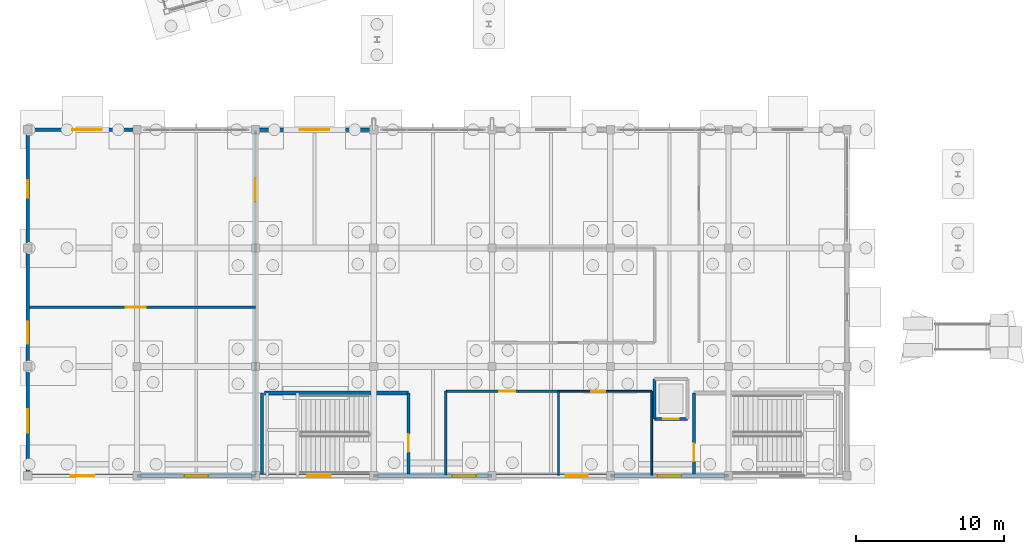
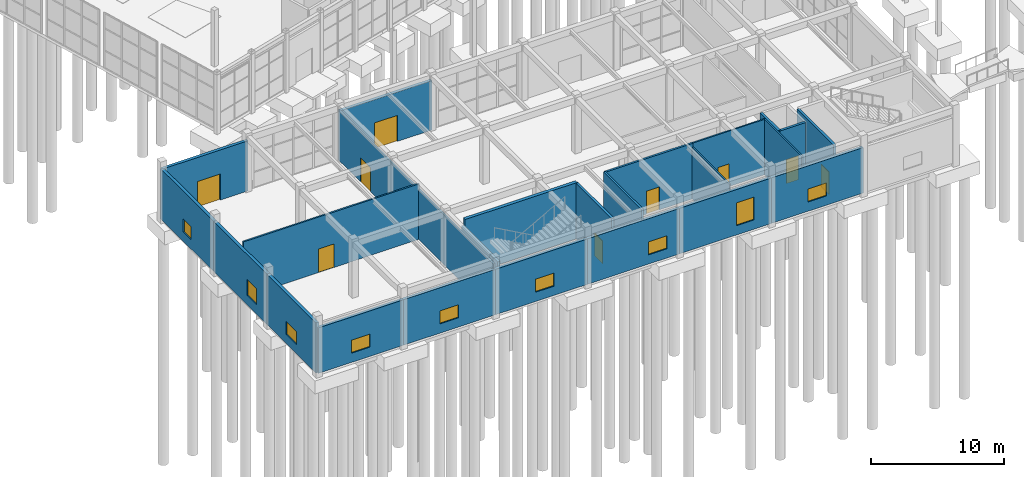
# One storey, part 71 of 90: 24 walls, 9 doors, 9 windows, 18 openings.
"""IFC4 building model written with IfcOpenShell, lengths in metres."""

from ifc_helpers import new_model, si_unit, direction, frame, frame_2d, origin, place, context, subcontext, project, spatial, rectangle, extrude, material, layer, layer_set, type_object, element, fill, save


model = new_model("IFC4")

# Units and contexts
model_context = context("Model", 3, precision=1e-05, world=origin(), true_north=direction((0.0, 1.0)))
body_context = subcontext(model_context, "Body", "Model", "MODEL_VIEW")
ifc_project = project(units=[si_unit("LENGTHUNIT", "METRE"), si_unit("AREAUNIT", "SQUARE_METRE"), si_unit("VOLUMEUNIT", "CUBIC_METRE"), si_unit("PLANEANGLEUNIT", "RADIAN"), si_unit("MASSUNIT", "GRAM", prefix="KILO")], contexts=[model_context])

# Site, building, storey
site_placement = place(None, origin())
site = spatial("IfcSite", under=ifc_project, at=site_placement, CompositionType="ELEMENT")
building_placement = place(site_placement, origin())
building = spatial("IfcBuilding", under=site, at=building_placement, Name="Canggui Botanical Conservatory", CompositionType="ELEMENT")
storey_placement = place(building_placement, origin())
storey = spatial("IfcBuildingStorey", under=building, at=storey_placement, Name="L01", CompositionType="ELEMENT", Elevation=0.0)

# Wall, opening, window
ifc_material_1 = material(Name="Precast Concrete C40", Category="concrete")
ifc_layer_1 = layer(ifc_material_1, 0.260009765625, Name="Precast Concrete C40", Category="concrete")
ifc_layer_set_1 = layer_set([ifc_layer_1], Name="Precast Concrete C40")
wall_type_1 = type_object("IfcWallType", Name="EW-260", PredefinedType="STANDARD", material=ifc_layer_set_1)
wall_1_placement = place(storey_placement, frame((58.0, 10.60009765625, 0.0), z_axis=(0.0, 0.0, 1.0), x_axis=(-1.0, 0.0, 0.0)))
wall_1 = element("IfcWall", 1, at=wall_1_placement, inside=storey, type_object=wall_type_1, Name="Visitor Centre Exterior Wall L01-2", PredefinedType="STANDARD", context=body_context, shape_type="SweptSolid", body=[
    extrude(rectangle(XDim=8.0, YDim=0.260009765625, at=frame_2d((4.0, 0.0))), origin(), (0.0, 0.0, 1.0), 4.179931640625),
])
opening_1_placement = place(wall_1_placement, frame((3.199951171875, 0.0, 0.85009765625)))
opening_1 = element("IfcOpeningElement", 2, at=opening_1_placement, cuts=wall_1, Name="Opening W-04", PredefinedType="OPENING", context=body_context, shape_type="SweptSolid", body=[
    extrude(rectangle(XDim=1.60009765625, YDim=1.199951171875, at=frame_2d((0.800048828125, 0.60009765625))), frame((0.0, 0.14013671875, 0.0), z_axis=(0.0, -1.0, 0.0), x_axis=(1.0, 0.0, 0.0)), (0.0, 0.0, 1.0), 0.280029296875),
])
ifc_material_2 = material(Name="Low-E Insulated Glass", Category="glass")
window_type_1 = type_object("IfcWindowType", Name="WIN-04", PartitioningType="SINGLE_PANEL", PredefinedType="WINDOW", material=ifc_material_2)
window_1_placement = place(opening_1_placement, origin())
window_1 = element("IfcWindow", 3, at=window_1_placement, inside=storey, type_object=window_type_1, Name="Visitor Centre Window L01-2", OverallHeight=1.199951171875, OverallWidth=1.60009765625, PartitioningType="SINGLE_PANEL", PredefinedType="WINDOW", context=body_context, shape_type="SweptSolid", body=[
    extrude(rectangle(XDim=1.60009765625, YDim=1.199951171875, at=frame_2d((0.800048828125, 0.60009765625))), frame((0.0, 0.030029296875, 0.0), z_axis=(0.0, -1.0, 0.0), x_axis=(1.0, 0.0, 0.0)), (0.0, 0.0, 1.0), 0.06005859375),
])
fill(opening_1, window_1)

wall_2_placement = place(storey_placement, frame((50.0, 10.60009765625, 0.0), z_axis=(0.0, 0.0, 1.0), x_axis=(-1.0, 0.0, 0.0)))
wall_2 = element("IfcWall", 4, at=wall_2_placement, inside=storey, type_object=wall_type_1, Name="Visitor Centre Exterior Wall L01-3", PredefinedType="STANDARD", context=body_context, shape_type="SweptSolid", body=[
    extrude(rectangle(XDim=8.0, YDim=0.260009765625, at=frame_2d((4.0, 0.0))), origin(), (0.0, 0.0, 1.0), 4.179931640625),
])
opening_2_placement = place(wall_2_placement, frame((1.51708984375, 0.0, 0.85009765625)))
opening_2 = element("IfcOpeningElement", 5, at=opening_2_placement, cuts=wall_2, Name="Opening W-13", PredefinedType="OPENING", context=body_context, shape_type="SweptSolid", body=[
    extrude(rectangle(XDim=1.5, YDim=2.10009765625, at=frame_2d((0.75, 1.050048828125))), frame((0.0, 0.14013671875, 0.0), z_axis=(0.0, -1.0, 0.0), x_axis=(1.0, 0.0, 0.0)), (0.0, 0.0, 1.0), 0.280029296875),
])
window_type_2 = type_object("IfcWindowType", Name="WIN-13", PartitioningType="DOUBLE_PANEL_HORIZONTAL", PredefinedType="WINDOW", material=ifc_material_2)
window_2_placement = place(opening_2_placement, origin())
window_2 = element("IfcWindow", 6, at=window_2_placement, inside=storey, type_object=window_type_2, Name="Visitor Centre Window L01-3", OverallHeight=2.10009765625, OverallWidth=1.5, PartitioningType="SINGLE_PANEL", PredefinedType="WINDOW", context=body_context, shape_type="SweptSolid", body=[
    extrude(rectangle(XDim=1.5, YDim=2.10009765625, at=frame_2d((0.75, 1.050048828125))), frame((0.0, 0.030029296875, 0.0), z_axis=(0.0, -1.0, 0.0), x_axis=(1.0, 0.0, 0.0)), (0.0, 0.0, 1.0), 0.06005859375),
])
fill(opening_2, window_2)

wall_3_placement = place(storey_placement, frame((42.0, 10.60009765625, 0.0), z_axis=(0.0, 0.0, 1.0), x_axis=(-1.0, 0.0, 0.0)))
wall_3 = element("IfcWall", 7, at=wall_3_placement, inside=storey, type_object=wall_type_1, Name="Visitor Centre Exterior Wall L01-4", PredefinedType="STANDARD", context=body_context, shape_type="SweptSolid", body=[
    extrude(rectangle(XDim=8.0, YDim=0.260009765625, at=frame_2d((4.0, 0.0))), origin(), (0.0, 0.0, 1.0), 4.179931640625),
])
opening_3_placement = place(wall_3_placement, frame((1.074951171875, 0.0, 0.85009765625)))
opening_3 = element("IfcOpeningElement", 8, at=opening_3_placement, cuts=wall_3, Name="Opening W-04", PredefinedType="OPENING", context=body_context, shape_type="SweptSolid", body=[
    extrude(rectangle(XDim=1.60009765625, YDim=1.199951171875, at=frame_2d((0.800048828125, 0.60009765625))), frame((0.0, 0.14013671875, 0.0), z_axis=(0.0, -1.0, 0.0), x_axis=(1.0, 0.0, 0.0)), (0.0, 0.0, 1.0), 0.280029296875),
])
window_3_placement = place(opening_3_placement, origin())
window_3 = element("IfcWindow", 9, at=window_3_placement, inside=storey, type_object=window_type_1, Name="Visitor Centre Window L01-4", OverallHeight=1.199951171875, OverallWidth=1.60009765625, PartitioningType="SINGLE_PANEL", PredefinedType="WINDOW", context=body_context, shape_type="SweptSolid", body=[
    extrude(rectangle(XDim=1.60009765625, YDim=1.199951171875, at=frame_2d((0.800048828125, 0.60009765625))), frame((0.0, 0.030029296875, 0.0), z_axis=(0.0, -1.0, 0.0), x_axis=(1.0, 0.0, 0.0)), (0.0, 0.0, 1.0), 0.06005859375),
])
fill(opening_3, window_3)

wall_4_placement = place(storey_placement, frame((34.0, 10.60009765625, 0.0), z_axis=(0.0, 0.0, 1.0), x_axis=(-1.0, 0.0, 0.0)))
wall_4 = element("IfcWall", 10, at=wall_4_placement, inside=storey, type_object=wall_type_1, Name="Visitor Centre Exterior Wall L01-5", PredefinedType="STANDARD", context=body_context, shape_type="SweptSolid", body=[
    extrude(rectangle(XDim=8.0, YDim=0.260009765625, at=frame_2d((4.0, 0.0))), origin(), (0.0, 0.0, 1.0), 4.179931640625),
])
opening_4_placement = place(wall_4_placement, frame((2.89990234375, 0.0, 0.85009765625)))
opening_4 = element("IfcOpeningElement", 11, at=opening_4_placement, cuts=wall_4, Name="Opening W-04", PredefinedType="OPENING", context=body_context, shape_type="SweptSolid", body=[
    extrude(rectangle(XDim=1.60009765625, YDim=1.199951171875, at=frame_2d((0.800048828125, 0.60009765625))), frame((0.0, 0.14013671875, 0.0), z_axis=(0.0, -1.0, 0.0), x_axis=(1.0, 0.0, 0.0)), (0.0, 0.0, 1.0), 0.280029296875),
])
window_4_placement = place(opening_4_placement, origin())
window_4 = element("IfcWindow", 12, at=window_4_placement, inside=storey, type_object=window_type_1, Name="Visitor Centre Window L01-5", OverallHeight=1.199951171875, OverallWidth=1.60009765625, PartitioningType="SINGLE_PANEL", PredefinedType="WINDOW", context=body_context, shape_type="SweptSolid", body=[
    extrude(rectangle(XDim=1.60009765625, YDim=1.199951171875, at=frame_2d((0.800048828125, 0.60009765625))), frame((0.0, 0.030029296875, 0.0), z_axis=(0.0, -1.0, 0.0), x_axis=(1.0, 0.0, 0.0)), (0.0, 0.0, 1.0), 0.06005859375),
])
fill(opening_4, window_4)

wall_5_placement = place(storey_placement, frame((26.0, 10.60009765625, 0.0), z_axis=(0.0, 0.0, 1.0), x_axis=(-1.0, 0.0, 0.0)))
wall_5 = element("IfcWall", 13, at=wall_5_placement, inside=storey, type_object=wall_type_1, Name="Visitor Centre Exterior Wall L01-6", PredefinedType="STANDARD", context=body_context, shape_type="SweptSolid", body=[
    extrude(rectangle(XDim=8.0, YDim=0.260009765625, at=frame_2d((4.0, 0.0))), origin(), (0.0, 0.0, 1.0), 4.179931640625),
])
opening_5_placement = place(wall_5_placement, frame((3.199951171875, 0.0, 0.85009765625)))
opening_5 = element("IfcOpeningElement", 14, at=opening_5_placement, cuts=wall_5, Name="Opening W-04", PredefinedType="OPENING", context=body_context, shape_type="SweptSolid", body=[
    extrude(rectangle(XDim=1.60009765625, YDim=1.199951171875, at=frame_2d((0.800048828125, 0.60009765625))), frame((0.0, 0.14013671875, 0.0), z_axis=(0.0, -1.0, 0.0), x_axis=(1.0, 0.0, 0.0)), (0.0, 0.0, 1.0), 0.280029296875),
])
window_5_placement = place(opening_5_placement, origin())
window_5 = element("IfcWindow", 15, at=window_5_placement, inside=storey, type_object=window_type_1, Name="Visitor Centre Window L01-6", OverallHeight=1.199951171875, OverallWidth=1.60009765625, PartitioningType="SINGLE_PANEL", PredefinedType="WINDOW", context=body_context, shape_type="SweptSolid", body=[
    extrude(rectangle(XDim=1.60009765625, YDim=1.199951171875, at=frame_2d((0.800048828125, 0.60009765625))), frame((0.0, 0.030029296875, 0.0), z_axis=(0.0, -1.0, 0.0), x_axis=(1.0, 0.0, 0.0)), (0.0, 0.0, 1.0), 0.06005859375),
])
fill(opening_5, window_5)

wall_6_placement = place(storey_placement, frame((18.0, 10.60009765625, 0.0), z_axis=(0.0, 0.0, 1.0), x_axis=(-1.0, 0.0, 0.0)))
wall_6 = element("IfcWall", 16, at=wall_6_placement, inside=storey, type_object=wall_type_1, Name="Visitor Centre Exterior Wall L01-7", PredefinedType="STANDARD", context=body_context, shape_type="SweptSolid", body=[
    extrude(rectangle(XDim=7.39990234375, YDim=0.260009765625, at=frame_2d((3.699951171875, 0.0))), origin(), (0.0, 0.0, 1.0), 4.179931640625),
])
opening_6_placement = place(wall_6_placement, frame((2.89990234375, 0.0, 0.85009765625)))
opening_6 = element("IfcOpeningElement", 17, at=opening_6_placement, cuts=wall_6, Name="Opening W-04", PredefinedType="OPENING", context=body_context, shape_type="SweptSolid", body=[
    extrude(rectangle(XDim=1.60009765625, YDim=1.199951171875, at=frame_2d((0.800048828125, 0.60009765625))), frame((0.0, 0.14013671875, 0.0), z_axis=(0.0, -1.0, 0.0), x_axis=(1.0, 0.0, 0.0)), (0.0, 0.0, 1.0), 0.280029296875),
])
window_6_placement = place(opening_6_placement, origin())
window_6 = element("IfcWindow", 18, at=window_6_placement, inside=storey, type_object=window_type_1, Name="Visitor Centre Window L01-7", OverallHeight=1.199951171875, OverallWidth=1.60009765625, PartitioningType="SINGLE_PANEL", PredefinedType="WINDOW", context=body_context, shape_type="SweptSolid", body=[
    extrude(rectangle(XDim=1.60009765625, YDim=1.199951171875, at=frame_2d((0.800048828125, 0.60009765625))), frame((0.0, 0.030029296875, 0.0), z_axis=(0.0, -1.0, 0.0), x_axis=(1.0, 0.0, 0.0)), (0.0, 0.0, 1.0), 0.06005859375),
])
fill(opening_6, window_6)

wall_7_placement = place(storey_placement, frame((10.60009765625, 10.60009765625, 0.0), z_axis=(0.0, 0.0, 1.0), x_axis=(0.0, 1.0, 0.0)))
wall_7 = element("IfcWall", 19, at=wall_7_placement, inside=storey, type_object=wall_type_1, Name="Visitor Centre Exterior Wall L01-8", PredefinedType="STANDARD", context=body_context, shape_type="SweptSolid", body=[
    extrude(rectangle(XDim=7.39990234375, YDim=0.260009765625, at=frame_2d((3.699951171875, 0.0))), origin(), (0.0, 0.0, 1.0), 4.610107421875),
])
opening_7_placement = place(wall_7_placement, frame((2.89990234375, 0.0, 0.85009765625)))
opening_7 = element("IfcOpeningElement", 20, at=opening_7_placement, cuts=wall_7, Name="Opening W-04", PredefinedType="OPENING", context=body_context, shape_type="SweptSolid", body=[
    extrude(rectangle(XDim=1.60009765625, YDim=1.199951171875, at=frame_2d((0.800048828125, 0.60009765625))), frame((0.0, 0.14013671875, 0.0), z_axis=(0.0, -1.0, 0.0), x_axis=(1.0, 0.0, 0.0)), (0.0, 0.0, 1.0), 0.280029296875),
])
window_7_placement = place(opening_7_placement, origin())
window_7 = element("IfcWindow", 21, at=window_7_placement, inside=storey, type_object=window_type_1, Name="Visitor Centre Window L01-8", OverallHeight=1.199951171875, OverallWidth=1.60009765625, PartitioningType="SINGLE_PANEL", PredefinedType="WINDOW", context=body_context, shape_type="SweptSolid", body=[
    extrude(rectangle(XDim=1.60009765625, YDim=1.199951171875, at=frame_2d((0.800048828125, 0.60009765625))), frame((0.0, 0.030029296875, 0.0), z_axis=(0.0, -1.0, 0.0), x_axis=(1.0, 0.0, 0.0)), (0.0, 0.0, 1.0), 0.06005859375),
])
fill(opening_7, window_7)

wall_8_placement = place(storey_placement, frame((10.60009765625, 18.0, 0.0), z_axis=(0.0, 0.0, 1.0), x_axis=(0.0, 1.0, 0.0)))
wall_8 = element("IfcWall", 22, at=wall_8_placement, inside=storey, type_object=wall_type_1, Name="Visitor Centre Exterior Wall L01-9", PredefinedType="STANDARD", context=body_context, shape_type="SweptSolid", body=[
    extrude(rectangle(XDim=8.0, YDim=0.260009765625, at=frame_2d((4.0, 0.0))), origin(), (0.0, 0.0, 1.0), 4.610107421875),
])
opening_8_placement = place(wall_8_placement, frame((1.51708984375, 0.0, 0.85009765625)))
opening_8 = element("IfcOpeningElement", 23, at=opening_8_placement, cuts=wall_8, Name="Opening W-05", PredefinedType="OPENING", context=body_context, shape_type="SweptSolid", body=[
    extrude(rectangle(XDim=1.5, YDim=1.5, at=frame_2d((0.75, 0.75))), frame((0.0, 0.14013671875, 0.0), z_axis=(0.0, -1.0, 0.0), x_axis=(1.0, 0.0, 0.0)), (0.0, 0.0, 1.0), 0.280029296875),
])
window_type_3 = type_object("IfcWindowType", Name="WIN-05", PartitioningType="SINGLE_PANEL", PredefinedType="WINDOW", material=ifc_material_2)
window_8_placement = place(opening_8_placement, origin())
window_8 = element("IfcWindow", 24, at=window_8_placement, inside=storey, type_object=window_type_3, Name="Visitor Centre Window L01-9", OverallHeight=1.5, OverallWidth=1.5, PartitioningType="SINGLE_PANEL", PredefinedType="WINDOW", context=body_context, shape_type="SweptSolid", body=[
    extrude(rectangle(XDim=1.5, YDim=1.5, at=frame_2d((0.75, 0.75))), frame((0.0, 0.030029296875, 0.0), z_axis=(0.0, -1.0, 0.0), x_axis=(1.0, 0.0, 0.0)), (0.0, 0.0, 1.0), 0.06005859375),
])
fill(opening_8, window_8)

wall_9_placement = place(storey_placement, frame((10.60009765625, 26.0, 0.0), z_axis=(0.0, 0.0, 1.0), x_axis=(0.0, 1.0, 0.0)))
wall_9 = element("IfcWall", 25, at=wall_9_placement, inside=storey, type_object=wall_type_1, Name="Visitor Centre Exterior Wall L01-10", PredefinedType="STANDARD", context=body_context, shape_type="SweptSolid", body=[
    extrude(rectangle(XDim=8.0, YDim=0.260009765625, at=frame_2d((4.0, 0.0))), origin(), (0.0, 0.0, 1.0), 4.610107421875),
])
opening_9_placement = place(wall_9_placement, frame((3.39990234375, 0.0, 0.85009765625)))
opening_9 = element("IfcOpeningElement", 26, at=opening_9_placement, cuts=wall_9, Name="Opening W-06", PredefinedType="OPENING", context=body_context, shape_type="SweptSolid", body=[
    extrude(rectangle(XDim=1.199951171875, YDim=1.199951171875, at=frame_2d((0.60009765625, 0.60009765625))), frame((0.0, 0.14013671875, 0.0), z_axis=(0.0, -1.0, 0.0), x_axis=(1.0, 0.0, 0.0)), (0.0, 0.0, 1.0), 0.280029296875),
])
window_type_4 = type_object("IfcWindowType", Name="WIN-06", PartitioningType="SINGLE_PANEL", PredefinedType="WINDOW", material=ifc_material_2)
window_9_placement = place(opening_9_placement, origin())
window_9 = element("IfcWindow", 27, at=window_9_placement, inside=storey, type_object=window_type_4, Name="Visitor Centre Window L01-10", OverallHeight=1.199951171875, OverallWidth=1.199951171875, PartitioningType="SINGLE_PANEL", PredefinedType="WINDOW", context=body_context, shape_type="SweptSolid", body=[
    extrude(rectangle(XDim=1.199951171875, YDim=1.199951171875, at=frame_2d((0.60009765625, 0.60009765625))), frame((0.0, 0.030029296875, 0.0), z_axis=(0.0, -1.0, 0.0), x_axis=(1.0, 0.0, 0.0)), (0.0, 0.0, 1.0), 0.06005859375),
])
fill(opening_9, window_9)

# Wall, opening, door
wall_10_placement = place(storey_placement, frame((10.60009765625, 34.0, 0.0), z_axis=(0.0, 0.0, 1.0), x_axis=(1.0, 0.0, 0.0)))
wall_10 = element("IfcWall", 28, at=wall_10_placement, inside=storey, type_object=wall_type_1, Name="Visitor Centre Exterior Wall L01-11", PredefinedType="STANDARD", context=body_context, shape_type="SweptSolid", body=[
    extrude(rectangle(XDim=7.39990234375, YDim=0.260009765625, at=frame_2d((3.699951171875, 0.0))), origin(), (0.0, 0.0, 1.0), 4.610107421875),
])
opening_10_placement = place(wall_10_placement, frame((3.0, 0.0, 0.0)))
opening_10 = element("IfcOpeningElement", 29, at=opening_10_placement, cuts=wall_10, Name="Opening EX-A", PredefinedType="OPENING", context=body_context, shape_type="SweptSolid", body=[
    extrude(rectangle(XDim=2.0, YDim=2.39990234375, at=frame_2d((1.0, 1.199951171875))), frame((0.0, 0.14013671875, 0.0), z_axis=(0.0, -1.0, 0.0), x_axis=(1.0, 0.0, 0.0)), (0.0, 0.0, 1.0), 0.280029296875),
])
ifc_material_3 = material(Name="Anodised Aluminium", Category="aluminium")
door_type_1 = type_object("IfcDoorType", Name="EDR-EX20", OperationType="NOTDEFINED", PredefinedType="DOOR", material=ifc_material_3)
door_1_placement = place(opening_10_placement, origin())
door_1 = element("IfcDoor", 30, at=door_1_placement, inside=storey, type_object=door_type_1, Name="Visitor Centre Main Exit Door EX-09", OperationType="DOUBLE_DOOR_SINGLE_SWING", OverallHeight=2.39990234375, OverallWidth=2.0, PredefinedType="DOOR", context=body_context, shape_type="SweptSolid", body=[
    extrude(rectangle(XDim=2.0, YDim=2.39990234375, at=frame_2d((1.0, 1.199951171875))), frame((0.0, 0.02490234375, 0.0), z_axis=(0.0, -1.0, 0.0), x_axis=(1.0, 0.0, 0.0)), (0.0, 0.0, 1.0), 0.050048828125),
])
fill(opening_10, door_1)

wall_11_placement = place(storey_placement, frame((26.0, 34.0, 0.0), z_axis=(0.0, 0.0, 1.0), x_axis=(1.0, 0.0, 0.0)))
wall_11 = element("IfcWall", 31, at=wall_11_placement, inside=storey, type_object=wall_type_1, Name="Visitor Centre Exterior Wall L01-13", PredefinedType="STANDARD", context=body_context, shape_type="SweptSolid", body=[
    extrude(rectangle(XDim=8.0, YDim=0.260009765625, at=frame_2d((4.0, 0.0))), origin(), (0.0, 0.0, 1.0), 4.5400390625),
])
opening_11_placement = place(wall_11_placement, frame((3.0, 0.0, 0.0)))
opening_11 = element("IfcOpeningElement", 32, at=opening_11_placement, cuts=wall_11, Name="Opening EX-A", PredefinedType="OPENING", context=body_context, shape_type="SweptSolid", body=[
    extrude(rectangle(XDim=2.0, YDim=2.39990234375, at=frame_2d((1.0, 1.199951171875))), frame((0.0, 0.14013671875, 0.0), z_axis=(0.0, -1.0, 0.0), x_axis=(1.0, 0.0, 0.0)), (0.0, 0.0, 1.0), 0.280029296875),
])
door_2_placement = place(opening_11_placement, origin())
door_2 = element("IfcDoor", 33, at=door_2_placement, inside=storey, type_object=door_type_1, Name="Visitor Centre Main Exit Door EX-10", OperationType="DOUBLE_DOOR_SINGLE_SWING", OverallHeight=2.39990234375, OverallWidth=2.0, PredefinedType="DOOR", context=body_context, shape_type="SweptSolid", body=[
    extrude(rectangle(XDim=2.0, YDim=2.39990234375, at=frame_2d((1.0, 1.199951171875))), frame((0.0, 0.02490234375, 0.0), z_axis=(0.0, -1.0, 0.0), x_axis=(1.0, 0.0, 0.0)), (0.0, 0.0, 1.0), 0.050048828125),
])
fill(opening_11, door_2)

# Wall
ifc_material_4 = material(Name="Gypsum Plasterboard Partition")
ifc_layer_2 = layer(ifc_material_4, 0.175048828125, Name="Gypsum Plasterboard Partition")
ifc_layer_set_2 = layer_set([ifc_layer_2], Name="Gypsum Plasterboard Partition")
wall_type_2 = type_object("IfcWallType", Name="IW-CORR-175", PredefinedType="STANDARD", material=ifc_layer_set_2)
wall_12_placement = place(storey_placement, frame((38.8798828125, 10.64990234375, 0.0), z_axis=(0.0, 0.0, 1.0), x_axis=(0.0, 1.0, 0.0)))
element("IfcWall", 34, at=wall_12_placement, inside=storey, type_object=wall_type_2, Name="Visitor South Seminar West Wall L01", PredefinedType="STANDARD", context=body_context, shape_type="SweptSolid", body=[
    extrude(rectangle(XDim=5.670166015625, YDim=0.175048828125, at=frame_2d((2.8349609375, 0.0))), origin(), (0.0, 0.0, 1.0), 5.10009765625),
])

# Wall, opening, door
wall_13_placement = place(storey_placement, frame((38.8798828125, 16.320068359375, 0.0), z_axis=(0.0, 0.0, 1.0), x_axis=(1.0, 0.0, 0.0)))
wall_13 = element("IfcWall", 35, at=wall_13_placement, inside=storey, type_object=wall_type_2, Name="Visitor South Seminar Wall L01", PredefinedType="STANDARD", context=body_context, shape_type="SweptSolid", body=[
    extrude(rectangle(XDim=7.6201171875, YDim=0.175048828125, at=frame_2d((3.81005859375, 0.0))), origin(), (0.0, 0.0, 1.0), 5.10009765625),
])
opening_12_placement = place(wall_13_placement, frame((3.60009765625, 0.0, 0.0)))
opening_12 = element("IfcOpeningElement", 36, at=opening_12_placement, cuts=wall_13, Name="Opening FD-05", PredefinedType="OPENING", context=body_context, shape_type="SweptSolid", body=[
    extrude(rectangle(XDim=1.10009765625, YDim=2.10009765625, at=frame_2d((0.550048828125, 1.050048828125))), frame((0.0, 0.09765625, 0.0), z_axis=(0.0, -1.0, 0.0), x_axis=(1.0, 0.0, 0.0)), (0.0, 0.0, 1.0), 0.195068359375),
])
ifc_material_5 = material(Name="Powder-Coated Steel", Category="steel")
door_type_2 = type_object("IfcDoorType", Name="FD-05", OperationType="NOTDEFINED", PredefinedType="DOOR", material=ifc_material_5)
door_3_placement = place(opening_12_placement, origin())
door_3 = element("IfcDoor", 37, at=door_3_placement, inside=storey, type_object=door_type_2, Name="Interior Door IW-VIS-L01-S1", OperationType="SINGLE_SWING_LEFT", OverallHeight=2.10009765625, OverallWidth=1.10009765625, PredefinedType="DOOR", context=body_context, shape_type="SweptSolid", body=[
    extrude(rectangle(XDim=1.10009765625, YDim=2.10009765625, at=frame_2d((0.550048828125, 1.050048828125))), frame((0.0, 0.02490234375, 0.0), z_axis=(0.0, -1.0, 0.0), x_axis=(1.0, 0.0, 0.0)), (0.0, 0.0, 1.0), 0.050048828125),
])
fill(opening_12, door_3)

ifc_layer_3 = layer(ifc_material_4, 0.139892578125, Name="Gypsum Plasterboard Partition")
ifc_layer_set_3 = layer_set([ifc_layer_3], Name="Gypsum Plasterboard Partition")
wall_type_3 = type_object("IfcWallType", Name="IW-PART-140", PredefinedType="STANDARD", material=ifc_layer_set_3)
wall_14_placement = place(storey_placement, frame((26.0, 10.64990234375, 0.0), z_axis=(0.0, 0.0, 1.0), x_axis=(0.0, 1.0, 0.0)))
wall_14 = element("IfcWall", 38, at=wall_14_placement, inside=storey, type_object=wall_type_3, Name="Visitor Reception Gallery Partition", PredefinedType="STANDARD", context=body_context, shape_type="SweptSolid", body=[
    extrude(rectangle(XDim=23.300048828125, YDim=0.139892578125, at=frame_2d((11.64990234375, 0.0))), origin(), (0.0, 0.0, 1.0), 4.590087890625),
])
opening_13_placement = place(wall_14_placement, frame((18.5, 0.0, 0.0)))
opening_13 = element("IfcOpeningElement", 39, at=opening_13_placement, cuts=wall_14, Name="Opening ID-14", PredefinedType="OPENING", context=body_context, shape_type="SweptSolid", body=[
    extrude(rectangle(XDim=1.5400390625, YDim=2.219970703125, at=frame_2d((0.77001953125, 1.10986328125))), frame((0.0, 0.080078125, 0.0), z_axis=(0.0, -1.0, 0.0), x_axis=(1.0, 0.0, 0.0)), (0.0, 0.0, 1.0), 0.159912109375),
])
ifc_material_6 = material(Name="Engineered Timber Veneer", Category="wood")
door_type_3 = type_object("IfcDoorType", Name="ID-14", OperationType="NOTDEFINED", PredefinedType="DOOR", material=ifc_material_6)
door_4_placement = place(opening_13_placement, origin())
door_4 = element("IfcDoor", 40, at=door_4_placement, inside=storey, type_object=door_type_3, Name="Interior Door IW-VIS-L01-1", OperationType="SINGLE_SWING_LEFT", OverallHeight=2.219970703125, OverallWidth=1.5400390625, PredefinedType="DOOR", context=body_context, shape_type="SweptSolid", body=[
    extrude(rectangle(XDim=1.5400390625, YDim=2.219970703125, at=frame_2d((0.77001953125, 1.10986328125))), frame((0.0, 0.02490234375, 0.0), z_axis=(0.0, -1.0, 0.0), x_axis=(1.0, 0.0, 0.0)), (0.0, 0.0, 1.0), 0.050048828125),
])
fill(opening_13, door_4)

wall_15_placement = place(storey_placement, frame((10.719970703125, 22.0, 0.0), z_axis=(0.0, 0.0, 1.0), x_axis=(1.0, 0.0, 0.0)))
wall_15 = element("IfcWall", 41, at=wall_15_placement, inside=storey, type_object=wall_type_3, Name="Visitor West Gallery Cross Wall", PredefinedType="STANDARD", context=body_context, shape_type="SweptSolid", body=[
    extrude(rectangle(XDim=15.280029296875, YDim=0.139892578125, at=frame_2d((7.64013671875, 0.0))), origin(), (0.0, 0.0, 1.0), 5.10009765625),
])
opening_14_placement = place(wall_15_placement, frame((6.5, 0.0, 0.0)))
opening_14 = element("IfcOpeningElement", 42, at=opening_14_placement, cuts=wall_15, Name="Opening ID-11", PredefinedType="OPENING", context=body_context, shape_type="SweptSolid", body=[
    extrude(rectangle(XDim=1.3798828125, YDim=2.159912109375, at=frame_2d((0.68994140625, 1.080078125))), frame((0.0, 0.080078125, 0.0), z_axis=(0.0, -1.0, 0.0), x_axis=(1.0, 0.0, 0.0)), (0.0, 0.0, 1.0), 0.159912109375),
])
door_type_4 = type_object("IfcDoorType", Name="ID-11", OperationType="NOTDEFINED", PredefinedType="DOOR", material=ifc_material_6)
door_5_placement = place(opening_14_placement, origin())
door_5 = element("IfcDoor", 43, at=door_5_placement, inside=storey, type_object=door_type_4, Name="Interior Door IW-VIS-L01-2", OperationType="SINGLE_SWING_RIGHT", OverallHeight=2.159912109375, OverallWidth=1.3798828125, PredefinedType="DOOR", context=body_context, shape_type="SweptSolid", body=[
    extrude(rectangle(XDim=1.3798828125, YDim=2.159912109375, at=frame_2d((0.68994140625, 1.080078125))), frame((0.0, 0.02490234375, 0.0), z_axis=(0.0, -1.0, 0.0), x_axis=(1.0, 0.0, 0.0)), (0.0, 0.0, 1.0), 0.050048828125),
])
fill(opening_14, door_5)

ifc_material_7 = material(Name="Concrete C35", Category="concrete")
ifc_layer_4 = layer(ifc_material_7, 0.215087890625, Name="Concrete C35", Category="concrete")
ifc_layer_set_4 = layer_set([ifc_layer_4], Name="Concrete C35")
wall_type_4 = type_object("IfcWallType", Name="IW-SHAFT-215", PredefinedType="STANDARD", material=ifc_layer_set_4)
wall_16_placement = place(storey_placement, frame((55.64990234375, 10.719970703125, 0.0), z_axis=(0.0, 0.0, 1.0), x_axis=(0.0, 1.0, 0.0)))
wall_16 = element("IfcWall", 44, at=wall_16_placement, inside=storey, type_object=wall_type_4, Name="ST-V1 Shaft West Wall L01", PredefinedType="STANDARD", context=body_context, shape_type="SweptSolid", body=[
    extrude(rectangle(XDim=5.47998046875, YDim=0.215087890625, at=frame_2d((2.739990234375, 0.0))), origin(), (0.0, 0.0, 1.0), 5.10009765625),
])
opening_15_placement = place(wall_16_placement, frame((0.85009765625, 0.0, 0.0)))
opening_15 = element("IfcOpeningElement", 45, at=opening_15_placement, cuts=wall_16, Name="Opening FD-07", PredefinedType="OPENING", context=body_context, shape_type="SweptSolid", body=[
    extrude(rectangle(XDim=1.199951171875, YDim=2.10009765625, at=frame_2d((0.60009765625, 1.050048828125))), frame((0.0, 0.11767578125, 0.0), z_axis=(0.0, -1.0, 0.0), x_axis=(1.0, 0.0, 0.0)), (0.0, 0.0, 1.0), 0.235107421875),
])
door_type_5 = type_object("IfcDoorType", Name="FD-07", OperationType="NOTDEFINED", PredefinedType="DOOR", material=ifc_material_5)
door_6_placement = place(opening_15_placement, origin())
door_6 = element("IfcDoor", 46, at=door_6_placement, inside=storey, type_object=door_type_5, Name="Visitor Stair ST-V1 Door L01", OperationType="SINGLE_SWING_LEFT", OverallHeight=2.10009765625, OverallWidth=1.199951171875, PredefinedType="DOOR", context=body_context, shape_type="SweptSolid", body=[
    extrude(rectangle(XDim=1.199951171875, YDim=2.10009765625, at=frame_2d((0.60009765625, 1.050048828125))), frame((0.0, 0.02490234375, 0.0), z_axis=(0.0, -1.0, 0.0), x_axis=(1.0, 0.0, 0.0)), (0.0, 0.0, 1.0), 0.050048828125),
])
fill(opening_15, door_6)

wall_17_placement = place(storey_placement, frame((36.35009765625, 10.719970703125, 0.0), z_axis=(0.0, 0.0, 1.0), x_axis=(0.0, 1.0, 0.0)))
wall_17 = element("IfcWall", 47, at=wall_17_placement, inside=storey, type_object=wall_type_4, Name="ST-V2 Shaft East Wall L01", PredefinedType="STANDARD", context=body_context, shape_type="SweptSolid", body=[
    extrude(rectangle(XDim=5.47998046875, YDim=0.215087890625, at=frame_2d((2.739990234375, 0.0))), origin(), (0.0, 0.0, 1.0), 5.10009765625),
])
opening_16_placement = place(wall_17_placement, frame((1.5, 0.0, 0.0)))
opening_16 = element("IfcOpeningElement", 48, at=opening_16_placement, cuts=wall_17, Name="Opening FD-07", PredefinedType="OPENING", context=body_context, shape_type="SweptSolid", body=[
    extrude(rectangle(XDim=1.199951171875, YDim=2.10009765625, at=frame_2d((0.60009765625, 1.050048828125))), frame((0.0, 0.11767578125, 0.0), z_axis=(0.0, -1.0, 0.0), x_axis=(1.0, 0.0, 0.0)), (0.0, 0.0, 1.0), 0.235107421875),
])
door_7_placement = place(opening_16_placement, origin())
door_7 = element("IfcDoor", 49, at=door_7_placement, inside=storey, type_object=door_type_5, Name="Visitor Stair ST-V2 Door L01", OperationType="SINGLE_SWING_RIGHT", OverallHeight=2.10009765625, OverallWidth=1.199951171875, PredefinedType="DOOR", context=body_context, shape_type="SweptSolid", body=[
    extrude(rectangle(XDim=1.199951171875, YDim=2.10009765625, at=frame_2d((0.60009765625, 1.050048828125))), frame((0.0, 0.02490234375, 0.0), z_axis=(0.0, -1.0, 0.0), x_axis=(1.0, 0.0, 0.0)), (0.0, 0.0, 1.0), 0.050048828125),
])
fill(opening_16, door_7)

# Wall
wall_18_placement = place(storey_placement, frame((26.449951171875, 16.199951171875, 0.0), z_axis=(0.0, 0.0, 1.0), x_axis=(0.0, -1.0, 0.0)))
element("IfcWall", 50, at=wall_18_placement, inside=storey, type_object=wall_type_4, Name="ST-V2 Shaft West Wall L01", PredefinedType="STANDARD", context=body_context, shape_type="SweptSolid", body=[
    extrude(rectangle(XDim=5.47998046875, YDim=0.215087890625, at=frame_2d((2.739990234375, 0.0))), origin(), (0.0, 0.0, 1.0), 4.590087890625),
])

# Wall, opening, door
wall_19_placement = place(storey_placement, frame((52.97998046875, 14.449951171875, 0.0), z_axis=(0.0, 0.0, 1.0), x_axis=(1.0, 0.0, 0.0)))
wall_19 = element("IfcWall", 51, at=wall_19_placement, inside=storey, type_object=wall_type_4, Name="Visitor Lift PL-04 Shaft Wall L01-0", PredefinedType="STANDARD", context=body_context, shape_type="SweptSolid", body=[
    extrude(rectangle(XDim=2.239990234375, YDim=0.215087890625, at=frame_2d((1.1201171875, 0.0))), origin(), (0.0, 0.0, 1.0), 5.10009765625),
])
opening_17_placement = place(wall_19_placement, frame((0.594970703125, 0.0, 0.0)))
opening_17 = element("IfcOpeningElement", 52, at=opening_17_placement, cuts=wall_19, Name="Opening LD-02", PredefinedType="OPENING", context=body_context, shape_type="SweptSolid", body=[
    extrude(rectangle(XDim=1.050048828125, YDim=2.199951171875, at=frame_2d((0.52490234375, 1.10009765625))), frame((0.0, 0.11767578125, 0.0), z_axis=(0.0, -1.0, 0.0), x_axis=(1.0, 0.0, 0.0)), (0.0, 0.0, 1.0), 0.235107421875),
])
ifc_material_8 = material(Name="Stainless Steel 304", Category="steel")
door_type_6 = type_object("IfcDoorType", Name="LDR-02", OperationType="NOTDEFINED", PredefinedType="DOOR", material=ifc_material_8)
door_8_placement = place(opening_17_placement, origin())
door_8 = element("IfcDoor", 53, at=door_8_placement, inside=storey, type_object=door_type_6, Name="Visitor Lift PL-04 Landing Door L01", OperationType="SLIDING_TO_RIGHT", OverallHeight=2.199951171875, OverallWidth=1.050048828125, PredefinedType="DOOR", context=body_context, shape_type="SweptSolid", body=[
    extrude(rectangle(XDim=1.050048828125, YDim=2.199951171875, at=frame_2d((0.52490234375, 1.10009765625))), frame((0.0, 0.02490234375, 0.0), z_axis=(0.0, -1.0, 0.0), x_axis=(1.0, 0.0, 0.0)), (0.0, 0.0, 1.0), 0.050048828125),
])
fill(opening_17, door_8)

# Wall
wall_20_placement = place(storey_placement, frame((52.97998046875, 17.14990234375, 0.0), z_axis=(0.0, 0.0, 1.0), x_axis=(0.0, -1.0, 0.0)))
element("IfcWall", 54, at=wall_20_placement, inside=storey, type_object=wall_type_4, Name="Visitor Lift PL-04 Shaft Wall L01-3", PredefinedType="STANDARD", context=body_context, shape_type="SweptSolid", body=[
    extrude(rectangle(XDim=2.699951171875, YDim=0.215087890625, at=frame_2d((1.35009765625, 0.0))), origin(), (0.0, 0.0, 1.0), 5.10009765625),
])

# Wall, opening, door
ifc_layer_5 = layer(ifc_material_4, 0.125, Name="Gypsum Plasterboard Partition")
ifc_layer_set_5 = layer_set([ifc_layer_5], Name="Gypsum Plasterboard Partition")
wall_type_5 = type_object("IfcWallType", Name="IW-WC-125", PredefinedType="STANDARD", material=ifc_layer_set_5)
wall_21_placement = place(storey_placement, frame((46.5, 16.320068359375, 0.0), z_axis=(0.0, 0.0, 1.0), x_axis=(1.0, 0.0, 0.0)))
wall_21 = element("IfcWall", 55, at=wall_21_placement, inside=storey, type_object=wall_type_5, Name="Visitor WC Corridor Wall L01", PredefinedType="STANDARD", context=body_context, shape_type="SweptSolid", body=[
    extrude(rectangle(XDim=6.300048828125, YDim=0.125, at=frame_2d((3.14990234375, 0.0))), origin(), (0.0, 0.0, 1.0), 5.10009765625),
])
opening_18_placement = place(wall_21_placement, frame((2.199951171875, 0.0, 0.0)))
opening_18 = element("IfcOpeningElement", 56, at=opening_18_placement, cuts=wall_21, Name="Opening ID-03", PredefinedType="OPENING", context=body_context, shape_type="SweptSolid", body=[
    extrude(rectangle(XDim=0.9599609375, YDim=2.080078125, at=frame_2d((0.47998046875, 1.0400390625))), frame((0.0, 0.072509765625, 0.0), z_axis=(0.0, -1.0, 0.0), x_axis=(1.0, 0.0, 0.0)), (0.0, 0.0, 1.0), 0.14501953125),
])
door_type_7 = type_object("IfcDoorType", Name="ID-03", OperationType="NOTDEFINED", PredefinedType="DOOR", material=ifc_material_6)
door_9_placement = place(opening_18_placement, origin())
door_9 = element("IfcDoor", 57, at=door_9_placement, inside=storey, type_object=door_type_7, Name="Interior Door IW-VIS-L01-S2", OperationType="SINGLE_SWING_RIGHT", OverallHeight=2.080078125, OverallWidth=0.9599609375, PredefinedType="DOOR", context=body_context, shape_type="SweptSolid", body=[
    extrude(rectangle(XDim=0.9599609375, YDim=2.080078125, at=frame_2d((0.47998046875, 1.0400390625))), frame((0.0, 0.02490234375, 0.0), z_axis=(0.0, -1.0, 0.0), x_axis=(1.0, 0.0, 0.0)), (0.0, 0.0, 1.0), 0.050048828125),
])
fill(opening_18, door_9)

# Walls
wall_22_placement = place(storey_placement, frame((46.5, 10.64990234375, 0.0), z_axis=(0.0, 0.0, 1.0), x_axis=(0.0, 1.0, 0.0)))
element("IfcWall", 58, at=wall_22_placement, inside=storey, type_object=wall_type_5, Name="Visitor WC Dividing Wall L01", PredefinedType="STANDARD", context=body_context, shape_type="SweptSolid", body=[
    extrude(rectangle(XDim=5.670166015625, YDim=0.125, at=frame_2d((2.8349609375, 0.0))), origin(), (0.0, 0.0, 1.0), 4.739990234375),
])
wall_23_placement = place(storey_placement, frame((52.800048828125, 10.64990234375, 0.0), z_axis=(0.0, 0.0, 1.0), x_axis=(0.0, 1.0, 0.0)))
element("IfcWall", 59, at=wall_23_placement, inside=storey, type_object=wall_type_5, Name="Visitor WC East Wall L01", PredefinedType="STANDARD", context=body_context, shape_type="SweptSolid", body=[
    extrude(rectangle(XDim=5.670166015625, YDim=0.125, at=frame_2d((2.8349609375, 0.0))), origin(), (0.0, 0.0, 1.0), 5.10009765625),
])
ifc_layer_6 = layer(ifc_material_7, 0.280029296875, Name="Concrete C35", Category="concrete")
ifc_layer_set_6 = layer_set([ifc_layer_6], Name="Concrete C35")
wall_type_6 = type_object("IfcWallType", Name="WALL-SH-280-C35", PredefinedType="SHEAR", material=ifc_layer_set_6)
wall_24_placement = place(storey_placement, frame((26.60009765625, 16.199951171875, 0.0), z_axis=(0.0, 0.0, 1.0), x_axis=(1.0, 0.0, 0.0)))
element("IfcWall", 60, at=wall_24_placement, inside=storey, type_object=wall_type_6, Name="ST-V2 Structural Shaft North Wall L01", PredefinedType="SHEAR", context=body_context, shape_type="SweptSolid", body=[
    extrude(rectangle(XDim=9.75, YDim=0.280029296875, at=frame_2d((4.875, 0.0))), origin(), (0.0, 0.0, 1.0), 5.159912109375),
])

save(model, "model.ifc")
